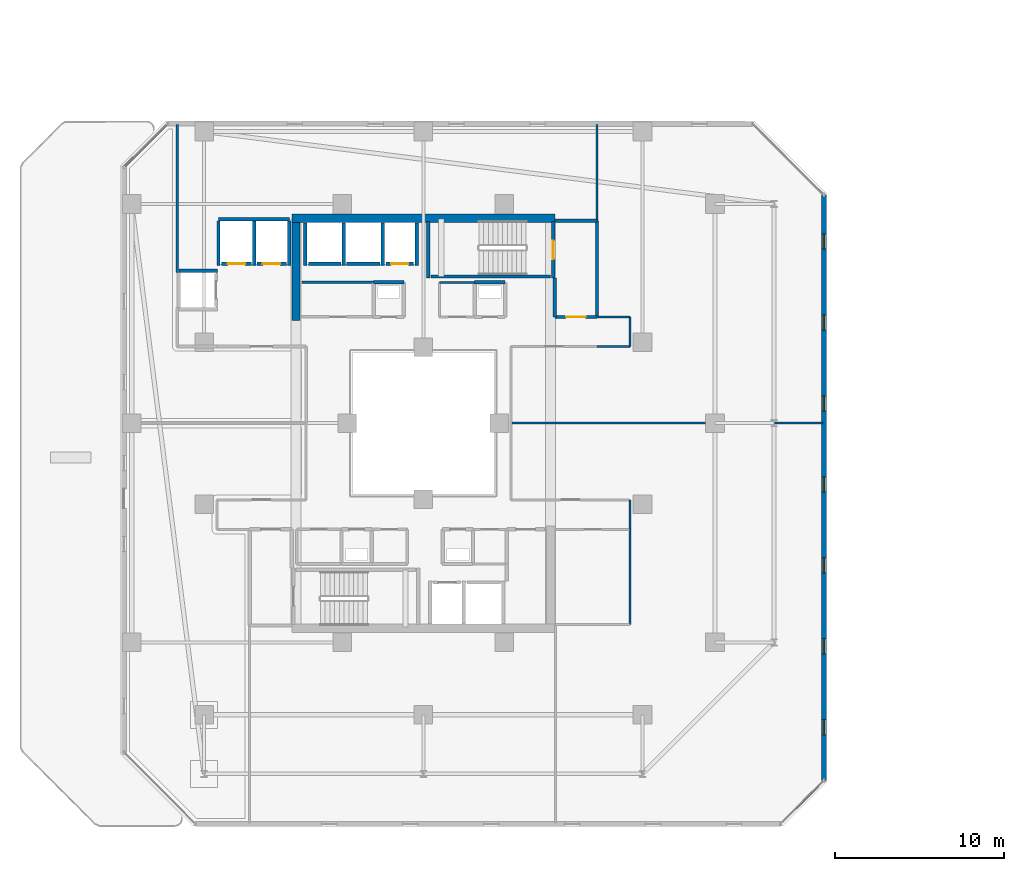
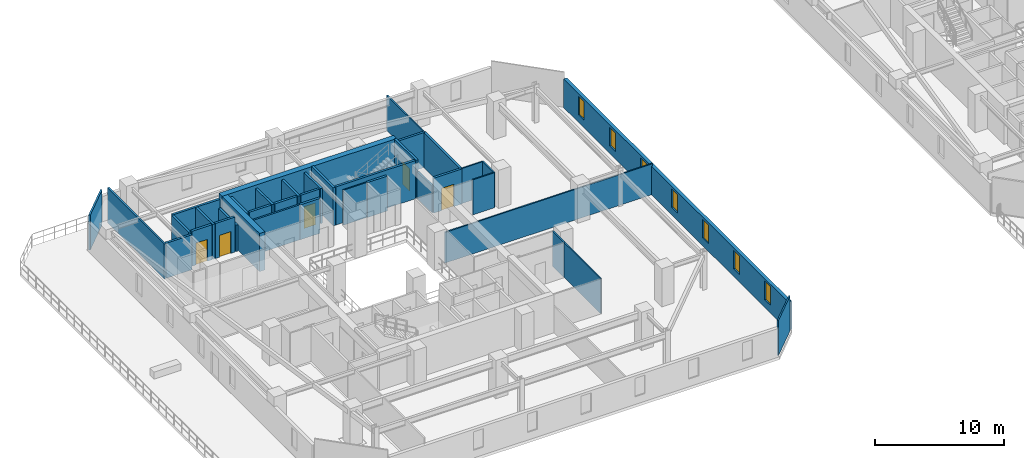
# One storey, part 20 of 30: 38 walls, 7 windows, 5 doors, 12 openings.
"""IFC4 building model written with IfcOpenShell, lengths in metres."""

from ifc_helpers import new_model, si_unit, direction, frame, frame_2d, origin, place, context, subcontext, project, spatial, rectangle, extrude, material, layer, layer_set, type_object, element, fill, save


model = new_model("IFC4")

# Units and contexts
model_context = context("Model", 3, precision=1e-05, world=origin(), true_north=direction((0.0, 1.0)))
body_context = subcontext(model_context, "Body", "Model", "MODEL_VIEW")
ifc_project = project(units=[si_unit("LENGTHUNIT", "METRE"), si_unit("AREAUNIT", "SQUARE_METRE"), si_unit("VOLUMEUNIT", "CUBIC_METRE"), si_unit("PLANEANGLEUNIT", "RADIAN"), si_unit("MASSUNIT", "GRAM", prefix="KILO")], contexts=[model_context])

# Site, building, storey
site_placement = place(None, origin())
site = spatial("IfcSite", under=ifc_project, at=site_placement, CompositionType="ELEMENT")
building_placement = place(site_placement, origin())
building = spatial("IfcBuilding", under=site, at=building_placement, Name="Thornwick Lancets Civic Towers", CompositionType="ELEMENT")
storey_placement = place(building_placement, frame((0.0, 0.0, 149.10009765625)))
storey = spatial("IfcBuildingStorey", under=building, at=storey_placement, Name="L39", CompositionType="ELEMENT", Elevation=149.10009765625)

# Wall, opening, door
ifc_material_1 = material(Name="Concrete blockwork C40/50", Category="masonry")
ifc_layer_1 = layer(ifc_material_1, 0.199951171875, Name="Concrete blockwork C40/50")
ifc_layer_set_1 = layer_set([ifc_layer_1], Name="Concrete blockwork C40/50")
wall_type_1 = type_object("IfcWallType", Name="WALL_COMP_200", PredefinedType="STANDARD", material=ifc_layer_set_1)
wall_1_placement = place(storey_placement, frame((24.919921875, 36.449951171875, 0.0), z_axis=(0.0, 0.0, 1.0), x_axis=(-1.0, 0.0, 0.0)))
wall_1 = element("IfcWall", 1, at=wall_1_placement, inside=storey, type_object=wall_type_1, Name="L39 Hoistway Front Wall FL-A2", PredefinedType="STANDARD", context=body_context, shape_type="SweptSolid", body=[
    extrude(rectangle(XDim=1.639892578125, YDim=0.199951171875, at=frame_2d((0.81982421875, 0.0))), origin(), (0.0, 0.0, 1.0), 3.2998046875),
])
opening_1_placement = place(wall_1_placement, frame((0.31005859375, 0.0, 0.0)))
opening_1 = element("IfcOpeningElement", 2, at=opening_1_placement, cuts=wall_1, Name="Opening LD-FL-A2", PredefinedType="OPENING", context=body_context, shape_type="SweptSolid", body=[
    extrude(rectangle(XDim=1.02001953125, YDim=2.06005859375, at=frame_2d((0.510009765625, 1.030029296875))), frame((0.0, 0.10986328125, 0.0), z_axis=(0.0, -1.0, 0.0), x_axis=(1.0, 0.0, 0.0)), (0.0, 0.0, 1.0), 0.219970703125),
])
ifc_material_2 = material(Name="Brushed bronze stainless steel", Category="steel")
door_type_1 = type_object("IfcDoorType", Name="DOOR_LIFT_SLIDE", OperationType="SLIDING_TO_LEFT", PredefinedType="DOOR", material=ifc_material_2)
door_1_placement = place(opening_1_placement, origin())
door_1 = element("IfcDoor", 3, at=door_1_placement, inside=storey, type_object=door_type_1, Name="L39 Sliding Lift Landing Door LD-FL-A2", OperationType="SLIDING_TO_LEFT", OverallHeight=2.06005859375, OverallWidth=1.02001953125, PredefinedType="DOOR", context=body_context, shape_type="SweptSolid", body=[
    extrude(rectangle(XDim=1.02001953125, YDim=2.06005859375, at=frame_2d((0.510009765625, 1.030029296875))), frame((0.0, 0.02490234375, 0.0), z_axis=(0.0, -1.0, 0.0), x_axis=(1.0, 0.0, 0.0)), (0.0, 0.0, 1.0), 0.050048828125),
])
fill(opening_1, door_1)

# Walls
wall_2_placement = place(storey_placement, frame((22.919921875, 36.449951171875, 0.0), z_axis=(0.0, 0.0, 1.0), x_axis=(-1.0, 0.0, 0.0)))
element("IfcWall", 4, at=wall_2_placement, inside=storey, type_object=wall_type_1, Name="L39 Hoistway Front Wall PL-AH2", PredefinedType="STANDARD", context=body_context, shape_type="SweptSolid", body=[
    extrude(rectangle(XDim=1.989990234375, YDim=0.199951171875, at=frame_2d((0.9951171875, 0.0))), origin(), (0.0, 0.0, 1.0), 3.2998046875),
])
wall_3_placement = place(storey_placement, frame((20.6201171875, 36.449951171875, 0.0), z_axis=(0.0, 0.0, 1.0), x_axis=(-1.0, 0.0, 0.0)))
element("IfcWall", 5, at=wall_3_placement, inside=storey, type_object=wall_type_1, Name="L39 Hoistway Front Wall PL-AH3", PredefinedType="STANDARD", context=body_context, shape_type="SweptSolid", body=[
    extrude(rectangle(XDim=1.940185546875, YDim=0.199951171875, at=frame_2d((0.97021484375, 0.0))), origin(), (0.0, 0.0, 1.0), 3.2998046875),
])

# Wall, opening, door
wall_4_placement = place(storey_placement, frame((17.3701171875, 36.449951171875, 0.0), z_axis=(0.0, 0.0, 1.0), x_axis=(-1.0, 0.0, 0.0)))
wall_4 = element("IfcWall", 6, at=wall_4_placement, inside=storey, type_object=wall_type_1, Name="L39 Hoistway Front Wall PL-AM1", PredefinedType="STANDARD", context=body_context, shape_type="SweptSolid", body=[
    extrude(rectangle(XDim=1.740234375, YDim=0.199951171875, at=frame_2d((0.8701171875, 0.0))), origin(), (0.0, 0.0, 1.0), 3.2998046875),
])
opening_2_placement = place(wall_4_placement, frame((0.360107421875, 0.0, 0.0)))
opening_2 = element("IfcOpeningElement", 7, at=opening_2_placement, cuts=wall_4, Name="Opening LD-PL-AM1", PredefinedType="OPENING", context=body_context, shape_type="SweptSolid", body=[
    extrude(rectangle(XDim=1.02001953125, YDim=2.06005859375, at=frame_2d((0.510009765625, 1.030029296875))), frame((0.0, 0.10986328125, 0.0), z_axis=(0.0, -1.0, 0.0), x_axis=(1.0, 0.0, 0.0)), (0.0, 0.0, 1.0), 0.219970703125),
])
door_2_placement = place(opening_2_placement, origin())
door_2 = element("IfcDoor", 8, at=door_2_placement, inside=storey, type_object=door_type_1, Name="L39 Sliding Lift Landing Door LD-PL-AM1", OperationType="SLIDING_TO_LEFT", OverallHeight=2.06005859375, OverallWidth=1.02001953125, PredefinedType="DOOR", context=body_context, shape_type="SweptSolid", body=[
    extrude(rectangle(XDim=1.02001953125, YDim=2.06005859375, at=frame_2d((0.510009765625, 1.030029296875))), frame((0.0, 0.02490234375, 0.0), z_axis=(0.0, -1.0, 0.0), x_axis=(1.0, 0.0, 0.0)), (0.0, 0.0, 1.0), 0.050048828125),
])
fill(opening_2, door_2)

wall_5_placement = place(storey_placement, frame((15.320068359375, 36.449951171875, 0.0), z_axis=(0.0, 0.0, 1.0), x_axis=(-1.0, 0.0, 0.0)))
wall_5 = element("IfcWall", 9, at=wall_5_placement, inside=storey, type_object=wall_type_1, Name="L39 Hoistway Front Wall PL-AM2", PredefinedType="STANDARD", context=body_context, shape_type="SweptSolid", body=[
    extrude(rectangle(XDim=1.7900390625, YDim=0.199951171875, at=frame_2d((0.89501953125, 0.0))), origin(), (0.0, 0.0, 1.0), 3.2998046875),
])
opening_3_placement = place(wall_5_placement, frame((0.385009765625, 0.0, 0.0)))
opening_3 = element("IfcOpeningElement", 10, at=opening_3_placement, cuts=wall_5, Name="Opening LD-PL-AM2", PredefinedType="OPENING", context=body_context, shape_type="SweptSolid", body=[
    extrude(rectangle(XDim=1.02001953125, YDim=2.06005859375, at=frame_2d((0.510009765625, 1.030029296875))), frame((0.0, 0.10986328125, 0.0), z_axis=(0.0, -1.0, 0.0), x_axis=(1.0, 0.0, 0.0)), (0.0, 0.0, 1.0), 0.219970703125),
])
door_3_placement = place(opening_3_placement, origin())
door_3 = element("IfcDoor", 11, at=door_3_placement, inside=storey, type_object=door_type_1, Name="L39 Sliding Lift Landing Door LD-PL-AM2", OperationType="SLIDING_TO_LEFT", OverallHeight=2.06005859375, OverallWidth=1.02001953125, PredefinedType="DOOR", context=body_context, shape_type="SweptSolid", body=[
    extrude(rectangle(XDim=1.02001953125, YDim=2.06005859375, at=frame_2d((0.510009765625, 1.030029296875))), frame((0.0, 0.02490234375, 0.0), z_axis=(0.0, -1.0, 0.0), x_axis=(1.0, 0.0, 0.0)), (0.0, 0.0, 1.0), 0.050048828125),
])
fill(opening_3, door_3)

# Walls
for number, where, z_axis, x_axis, name in (
    (12, (25.10009765625, 36.35205078125, 0.0), (0.0, 0.0, 1.0), (0.0, 1.0, 0.0), "L39 Hoistway Shaft Wall FL-A2 E"),
    (13, (23.10009765625, 36.35205078125, 0.0), (0.0, 0.0, 1.0), (0.0, 1.0, 0.0), "L39 Hoistway Shaft Wall FL-A2 W"),
    (14, (20.77490234375, 36.35205078125, 0.0), (0.0, 0.0, 1.0), (0.0, 1.0, 0.0), "L39 Hoistway Shaft Wall PL-AH2 W"),
    (15, (18.5, 36.35205078125, 0.0), (0.0, 0.0, 1.0), (0.0, 1.0, 0.0), "L39 Hoistway Shaft Wall PL-AH3 W"),
):
    element("IfcWall", number, at=place(storey_placement, frame(where, z_axis=z_axis, x_axis=x_axis)), inside=storey, type_object=wall_type_1, Name=name, PredefinedType="STANDARD", context=body_context, shape_type="SweptSolid", body=[
        extrude(rectangle(XDim=2.535888671875, YDim=0.199951171875, at=frame_2d((1.26806640625, 0.0))), origin(), (0.0, 0.0, 1.0), 3.2998046875),
    ])
wall_6_placement = place(storey_placement, frame((13.35205078125, 39.10009765625, 0.0), z_axis=(0.0, 0.0, 1.0), x_axis=(1.0, 0.0, 0.0)))
element("IfcWall", 16, at=wall_6_placement, inside=storey, type_object=wall_type_1, Name="L39 Hoistway Shaft Wall PL-AM1 N", PredefinedType="STANDARD", context=body_context, shape_type="SweptSolid", body=[
    extrude(rectangle(XDim=4.196044921875, YDim=0.199951171875, at=frame_2d((2.09814453125, 0.0))), origin(), (0.0, 0.0, 1.0), 3.2998046875),
])
wall_7_placement = place(storey_placement, frame((17.550048828125, 36.35205078125, 0.0), z_axis=(0.0, 0.0, 1.0), x_axis=(0.0, 1.0, 0.0)))
element("IfcWall", 17, at=wall_7_placement, inside=storey, type_object=wall_type_1, Name="L39 Hoistway Shaft Wall PL-AM1 E", PredefinedType="STANDARD", context=body_context, shape_type="SweptSolid", body=[
    extrude(rectangle(XDim=2.635986328125, YDim=0.199951171875, at=frame_2d((1.31787109375, 0.0))), origin(), (0.0, 0.0, 1.0), 2.5048828125),
])
for number, where, z_axis, x_axis, name in (
    (18, (15.47509765625, 36.35205078125, 0.0), (0.0, 0.0, 1.0), (0.0, 1.0, 0.0), "L39 Hoistway Shaft Wall PL-AM1 W"),
    (19, (13.35009765625, 36.35205078125, 0.0), (0.0, 0.0, 1.0), (0.0, 1.0, 0.0), "L39 Hoistway Shaft Wall PL-AM2 W"),
):
    element("IfcWall", number, at=place(storey_placement, frame(where, z_axis=z_axis, x_axis=x_axis)), inside=storey, type_object=wall_type_1, Name=name, PredefinedType="STANDARD", context=body_context, shape_type="SweptSolid", body=[
        extrude(rectangle(XDim=2.635986328125, YDim=0.199951171875, at=frame_2d((1.31787109375, 0.0))), origin(), (0.0, 0.0, 1.0), 3.2998046875),
    ])
wall_8_placement = place(storey_placement, frame((11.001953125, 36.050048828125, 0.0), z_axis=(0.0, 0.0, 1.0), x_axis=(1.0, 0.0, 0.0)))
element("IfcWall", 20, at=wall_8_placement, inside=storey, type_object=wall_type_1, Name="L39 Hoistway Shaft Wall PL-AM3 N", PredefinedType="STANDARD", context=body_context, shape_type="SweptSolid", body=[
    extrude(rectangle(XDim=2.296142578125, YDim=0.199951171875, at=frame_2d((1.14794921875, 0.0))), origin(), (0.0, 0.0, 1.0), 3.2998046875),
])

# Wall, opening, door
wall_9_placement = place(storey_placement, frame((33.300048828125, 33.300048828125, 0.0), z_axis=(0.0, 0.0, 1.0), x_axis=(1.0, 0.0, 0.0)))
wall_9 = element("IfcWall", 21, at=wall_9_placement, inside=storey, type_object=wall_type_1, Name="L39 Partition L39-A-FFLOB2 E1", PredefinedType="STANDARD", context=body_context, shape_type="SweptSolid", body=[
    extrude(rectangle(XDim=2.5, YDim=0.199951171875, at=frame_2d((1.25, 0.0))), origin(), (0.0, 0.0, 1.0), 3.2998046875),
])
opening_4_placement = place(wall_9_placement, frame((0.675048828125, 0.0, 0.0)))
opening_4 = element("IfcOpeningElement", 22, at=opening_4_placement, cuts=wall_9, Name="Opening D-L39-1756", PredefinedType="OPENING", context=body_context, shape_type="SweptSolid", body=[
    extrude(rectangle(XDim=1.14990234375, YDim=2.10009765625, at=frame_2d((0.574951171875, 1.050048828125))), frame((0.0, 0.10986328125, 0.0), z_axis=(0.0, -1.0, 0.0), x_axis=(1.0, 0.0, 0.0)), (0.0, 0.0, 1.0), 0.219970703125),
])
ifc_material_3 = material(Name="Glazed fire-resisting steel", Category="steel")
door_type_2 = type_object("IfcDoorType", Name="DOOR_LOBBY_FD60", OperationType="NOTDEFINED", PredefinedType="DOOR", material=ifc_material_3)
door_4_placement = place(opening_4_placement, origin())
door_4 = element("IfcDoor", 23, at=door_4_placement, inside=storey, type_object=door_type_2, Name="L39 North Firefighting Lobby 2 Door", OperationType="SINGLE_SWING_LEFT", OverallHeight=2.10009765625, OverallWidth=1.14990234375, PredefinedType="DOOR", context=body_context, shape_type="SweptSolid", body=[
    extrude(rectangle(XDim=1.14990234375, YDim=2.10009765625, at=frame_2d((0.574951171875, 1.050048828125))), frame((0.0, 0.02490234375, 0.0), z_axis=(0.0, -1.0, 0.0), x_axis=(1.0, 0.0, 0.0)), (0.0, 0.0, 1.0), 0.050048828125),
])
fill(opening_4, door_4)

# Walls
wall_10_placement = place(storey_placement, frame((35.800048828125, 33.300048828125, 0.0), z_axis=(0.0, 0.0, 1.0), x_axis=(0.0, 1.0, 0.0)))
element("IfcWall", 24, at=wall_10_placement, inside=storey, type_object=wall_type_1, Name="L39 Partition L39-A-FFLOB2 E2", PredefinedType="STANDARD", context=body_context, shape_type="SweptSolid", body=[
    extrude(rectangle(XDim=5.699951171875, YDim=0.199951171875, at=frame_2d((2.85009765625, 0.0))), origin(), (0.0, 0.0, 1.0), 3.2998046875),
])
wall_11_placement = place(storey_placement, frame((35.800048828125, 39.0, 0.0), z_axis=(0.0, 0.0, 1.0), x_axis=(-1.0, 0.0, 0.0)))
element("IfcWall", 25, at=wall_11_placement, inside=storey, type_object=wall_type_1, Name="L39 Partition L39-A-FFLOB2 E3", PredefinedType="STANDARD", context=body_context, shape_type="SweptSolid", body=[
    extrude(rectangle(XDim=2.5, YDim=0.199951171875, at=frame_2d((1.25, 0.0))), origin(), (0.0, 0.0, 1.0), 3.2998046875),
])
wall_12_placement = place(storey_placement, frame((33.300048828125, 35.60009765625, 0.0), z_axis=(0.0, 0.0, 1.0), x_axis=(0.0, -1.0, 0.0)))
element("IfcWall", 26, at=wall_12_placement, inside=storey, type_object=wall_type_1, Name="L39 Partition L39-A-FFLOB2 E4", PredefinedType="STANDARD", context=body_context, shape_type="SweptSolid", body=[
    extrude(rectangle(XDim=2.300048828125, YDim=0.199951171875, at=frame_2d((1.14990234375, 0.0))), origin(), (0.0, 0.0, 1.0), 2.5048828125),
])
for number, where, z_axis, x_axis, name in (
    (27, (24.35009765625, 35.35009765625, 0.0), (0.0, 0.0, 1.0), (-1.0, 0.0, 0.0), "L39 Partition L39-A-DUCT2 E3"),
    (28, (30.35009765625, 35.35009765625, 0.0), (0.0, 0.0, 1.0), (-1.0, 0.0, 0.0), "L39 Partition L39-A-RISER2 E3"),
):
    element("IfcWall", number, at=place(storey_placement, frame(where, z_axis=z_axis, x_axis=x_axis)), inside=storey, type_object=wall_type_1, Name=name, PredefinedType="STANDARD", context=body_context, shape_type="SweptSolid", body=[
        extrude(rectangle(XDim=1.800048828125, YDim=0.199951171875, at=frame_2d((0.89990234375, 0.0))), origin(), (0.0, 0.0, 1.0), 3.2998046875),
    ])
ifc_material_4 = material(Name="Concrete C50/60", Category="concrete")
ifc_layer_2 = layer(ifc_material_4, 0.5, Name="Concrete C50/60")
ifc_layer_set_2 = layer_set([ifc_layer_2], Name="Concrete C50/60")
wall_type_2 = type_object("IfcWallType", Name="WALL_CORE_500", PredefinedType="SHEAR", material=ifc_layer_set_2)
wall_13_placement = place(storey_placement, frame((17.699951171875, 39.14990234375, 0.0), z_axis=(0.0, 0.0, 1.0), x_axis=(1.0, 0.0, 0.0)))
element("IfcWall", 29, at=wall_13_placement, inside=storey, type_object=wall_type_2, Name="L39 Split Core A2 Shear Wall N", PredefinedType="SHEAR", context=body_context, shape_type="SweptSolid", body=[
    extrude(rectangle(XDim=15.60009765625, YDim=0.5, at=frame_2d((7.800048828125, 0.0))), origin(), (0.0, 0.0, 1.0), 3.599853515625),
])
wall_14_placement = place(storey_placement, frame((17.949951171875, 33.10009765625, 0.0), z_axis=(0.0, 0.0, 1.0), x_axis=(0.0, 1.0, 0.0)))
element("IfcWall", 30, at=wall_14_placement, inside=storey, type_object=wall_type_2, Name="L39 Split Core A2 Shear Wall W", PredefinedType="SHEAR", context=body_context, shape_type="SweptSolid", body=[
    extrude(rectangle(XDim=5.7998046875, YDim=0.5, at=frame_2d((2.89990234375, 0.0))), origin(), (0.0, 0.0, 1.0), 3.599853515625),
])

# Wall, openings, windows
ifc_material_5 = material(Name="Insulated russet terracotta rainscreen on concrete C40/50", Category="masonry")
ifc_layer_3 = layer(ifc_material_5, 0.300048828125, Name="Insulated russet terracotta rainscreen on concrete C40/50")
ifc_layer_set_3 = layer_set([ifc_layer_3], Name="Insulated russet terracotta rainscreen on concrete C40/50")
wall_type_3 = type_object("IfcWallType", Name="WALL_EXT_RUSSET_300", PredefinedType="STANDARD", material=ifc_layer_set_3)
wall_15_placement = place(storey_placement, frame((49.2646484375, 5.818603515625, 0.0), z_axis=(0.0, 0.0, 1.0), x_axis=(-0.000154754115, 0.999999988026, 0.0)))
wall_15 = element("IfcWall", 31, at=wall_15_placement, inside=storey, type_object=wall_type_3, Name="L39 Tower A Terracotta Facade Wall E2", PredefinedType="STANDARD", context=body_context, shape_type="SweptSolid", body=[
    extrude(rectangle(XDim=34.707275390625, YDim=0.300048828125, at=frame_2d((17.353515625, 0.0))), origin(), (0.0, 0.0, 1.0), 2.699951171875),
])
opening_5_placement = place(wall_15_placement, frame((2.699951171875, 0.0, 0.719970703125)))
opening_5 = element("IfcOpeningElement", 32, at=opening_5_placement, cuts=wall_15, Name="Opening WL-01", PredefinedType="OPENING", context=body_context, shape_type="SweptSolid", body=[
    extrude(rectangle(XDim=0.89990234375, YDim=1.75, at=frame_2d((0.449951171875, 0.875))), frame((0.0, 0.16015625, 0.0), z_axis=(0.0, -1.0, 0.0), x_axis=(1.0, 0.0, 0.0)), (0.0, 0.0, 1.0), 0.320068359375),
])
opening_6_placement = place(wall_15_placement, frame((7.5, 0.0, 0.719970703125)))
opening_6 = element("IfcOpeningElement", 33, at=opening_6_placement, cuts=wall_15, Name="Opening WL-01", PredefinedType="OPENING", context=body_context, shape_type="SweptSolid", body=[
    extrude(rectangle(XDim=0.89990234375, YDim=1.75, at=frame_2d((0.449951171875, 0.875))), frame((0.0, 0.16015625, 0.0), z_axis=(0.0, -1.0, 0.0), x_axis=(1.0, 0.0, 0.0)), (0.0, 0.0, 1.0), 0.320068359375),
])
opening_7_placement = place(wall_15_placement, frame((12.300048828125, 0.0, 0.719970703125)))
opening_7 = element("IfcOpeningElement", 34, at=opening_7_placement, cuts=wall_15, Name="Opening WL-01", PredefinedType="OPENING", context=body_context, shape_type="SweptSolid", body=[
    extrude(rectangle(XDim=0.89990234375, YDim=1.75, at=frame_2d((0.449951171875, 0.875))), frame((0.0, 0.16015625, 0.0), z_axis=(0.0, -1.0, 0.0), x_axis=(1.0, 0.0, 0.0)), (0.0, 0.0, 1.0), 0.320068359375),
])
opening_8_placement = place(wall_15_placement, frame((17.10009765625, 0.0, 0.719970703125)))
opening_8 = element("IfcOpeningElement", 35, at=opening_8_placement, cuts=wall_15, Name="Opening WL-01", PredefinedType="OPENING", context=body_context, shape_type="SweptSolid", body=[
    extrude(rectangle(XDim=0.89990234375, YDim=1.75, at=frame_2d((0.449951171875, 0.875))), frame((0.0, 0.16015625, 0.0), z_axis=(0.0, -1.0, 0.0), x_axis=(1.0, 0.0, 0.0)), (0.0, 0.0, 1.0), 0.320068359375),
])
opening_9_placement = place(wall_15_placement, frame((21.89990234375, 0.0, 0.719970703125)))
opening_9 = element("IfcOpeningElement", 36, at=opening_9_placement, cuts=wall_15, Name="Opening WL-01", PredefinedType="OPENING", context=body_context, shape_type="SweptSolid", body=[
    extrude(rectangle(XDim=0.89990234375, YDim=1.75, at=frame_2d((0.449951171875, 0.875))), frame((0.0, 0.16015625, 0.0), z_axis=(0.0, -1.0, 0.0), x_axis=(1.0, 0.0, 0.0)), (0.0, 0.0, 1.0), 0.320068359375),
])
opening_10_placement = place(wall_15_placement, frame((26.699951171875, 0.0, 0.719970703125)))
opening_10 = element("IfcOpeningElement", 37, at=opening_10_placement, cuts=wall_15, Name="Opening WL-01", PredefinedType="OPENING", context=body_context, shape_type="SweptSolid", body=[
    extrude(rectangle(XDim=0.89990234375, YDim=1.75, at=frame_2d((0.449951171875, 0.875))), frame((0.0, 0.16015625, 0.0), z_axis=(0.0, -1.0, 0.0), x_axis=(1.0, 0.0, 0.0)), (0.0, 0.0, 1.0), 0.320068359375),
])
opening_11_placement = place(wall_15_placement, frame((31.5, 0.0, 0.719970703125)))
opening_11 = element("IfcOpeningElement", 38, at=opening_11_placement, cuts=wall_15, Name="Opening WL-01", PredefinedType="OPENING", context=body_context, shape_type="SweptSolid", body=[
    extrude(rectangle(XDim=0.89990234375, YDim=1.75, at=frame_2d((0.449951171875, 0.875))), frame((0.0, 0.16015625, 0.0), z_axis=(0.0, -1.0, 0.0), x_axis=(1.0, 0.0, 0.0)), (0.0, 0.0, 1.0), 0.320068359375),
])
ifc_material_6 = material(Name="Clear low-e double glazing in bronze frame", Category="glass")
window_type = type_object("IfcWindowType", Name="WIN_LANCET_900", PartitioningType="SINGLE_PANEL", PredefinedType="WINDOW", material=ifc_material_6)
window_1_placement = place(opening_5_placement, origin())
window_1 = element("IfcWindow", 39, at=window_1_placement, inside=storey, type_object=window_type, Name="L39 Tower A Staggered Lancet Window E2-1", OverallHeight=1.75, OverallWidth=0.89990234375, PartitioningType="SINGLE_PANEL", PredefinedType="WINDOW", context=body_context, shape_type="SweptSolid", body=[
    extrude(rectangle(XDim=0.89990234375, YDim=1.75, at=frame_2d((0.449951171875, 0.875))), frame((0.0, 0.030029296875, 0.0), z_axis=(0.0, -1.0, 0.0), x_axis=(1.0, 0.0, 0.0)), (0.0, 0.0, 1.0), 0.06005859375),
])
fill(opening_5, window_1)
window_2_placement = place(opening_6_placement, origin())
window_2 = element("IfcWindow", 40, at=window_2_placement, inside=storey, type_object=window_type, Name="L39 Tower A Staggered Lancet Window E2-2", OverallHeight=1.75, OverallWidth=0.89990234375, PartitioningType="SINGLE_PANEL", PredefinedType="WINDOW", context=body_context, shape_type="SweptSolid", body=[
    extrude(rectangle(XDim=0.89990234375, YDim=1.75, at=frame_2d((0.449951171875, 0.875))), frame((0.0, 0.030029296875, 0.0), z_axis=(0.0, -1.0, 0.0), x_axis=(1.0, 0.0, 0.0)), (0.0, 0.0, 1.0), 0.06005859375),
])
fill(opening_6, window_2)
window_3_placement = place(opening_7_placement, origin())
window_3 = element("IfcWindow", 41, at=window_3_placement, inside=storey, type_object=window_type, Name="L39 Tower A Staggered Lancet Window E2-3", OverallHeight=1.75, OverallWidth=0.89990234375, PartitioningType="SINGLE_PANEL", PredefinedType="WINDOW", context=body_context, shape_type="SweptSolid", body=[
    extrude(rectangle(XDim=0.89990234375, YDim=1.75, at=frame_2d((0.449951171875, 0.875))), frame((0.0, 0.030029296875, 0.0), z_axis=(0.0, -1.0, 0.0), x_axis=(1.0, 0.0, 0.0)), (0.0, 0.0, 1.0), 0.06005859375),
])
fill(opening_7, window_3)
window_4_placement = place(opening_8_placement, origin())
window_4 = element("IfcWindow", 42, at=window_4_placement, inside=storey, type_object=window_type, Name="L39 Tower A Staggered Lancet Window E2-4", OverallHeight=1.75, OverallWidth=0.89990234375, PartitioningType="SINGLE_PANEL", PredefinedType="WINDOW", context=body_context, shape_type="SweptSolid", body=[
    extrude(rectangle(XDim=0.89990234375, YDim=1.75, at=frame_2d((0.449951171875, 0.875))), frame((0.0, 0.030029296875, 0.0), z_axis=(0.0, -1.0, 0.0), x_axis=(1.0, 0.0, 0.0)), (0.0, 0.0, 1.0), 0.06005859375),
])
fill(opening_8, window_4)
window_5_placement = place(opening_9_placement, origin())
window_5 = element("IfcWindow", 43, at=window_5_placement, inside=storey, type_object=window_type, Name="L39 Tower A Staggered Lancet Window E2-5", OverallHeight=1.75, OverallWidth=0.89990234375, PartitioningType="SINGLE_PANEL", PredefinedType="WINDOW", context=body_context, shape_type="SweptSolid", body=[
    extrude(rectangle(XDim=0.89990234375, YDim=1.75, at=frame_2d((0.449951171875, 0.875))), frame((0.0, 0.030029296875, 0.0), z_axis=(0.0, -1.0, 0.0), x_axis=(1.0, 0.0, 0.0)), (0.0, 0.0, 1.0), 0.06005859375),
])
fill(opening_9, window_5)
window_6_placement = place(opening_10_placement, origin())
window_6 = element("IfcWindow", 44, at=window_6_placement, inside=storey, type_object=window_type, Name="L39 Tower A Staggered Lancet Window E2-6", OverallHeight=1.75, OverallWidth=0.89990234375, PartitioningType="SINGLE_PANEL", PredefinedType="WINDOW", context=body_context, shape_type="SweptSolid", body=[
    extrude(rectangle(XDim=0.89990234375, YDim=1.75, at=frame_2d((0.449951171875, 0.875))), frame((0.0, 0.030029296875, 0.0), z_axis=(0.0, -1.0, 0.0), x_axis=(1.0, 0.0, 0.0)), (0.0, 0.0, 1.0), 0.06005859375),
])
fill(opening_10, window_6)
window_7_placement = place(opening_11_placement, origin())
window_7 = element("IfcWindow", 45, at=window_7_placement, inside=storey, type_object=window_type, Name="L39 Tower A Staggered Lancet Window E2-7", OverallHeight=1.75, OverallWidth=0.89990234375, PartitioningType="SINGLE_PANEL", PredefinedType="WINDOW", context=body_context, shape_type="SweptSolid", body=[
    extrude(rectangle(XDim=0.89990234375, YDim=1.75, at=frame_2d((0.449951171875, 0.875))), frame((0.0, 0.030029296875, 0.0), z_axis=(0.0, -1.0, 0.0), x_axis=(1.0, 0.0, 0.0)), (0.0, 0.0, 1.0), 0.06005859375),
])
fill(opening_11, window_7)

# Walls
ifc_material_7 = material(Name="Acoustic gypsum board partition")
ifc_layer_4 = layer(ifc_material_7, 0.1201171875, Name="Acoustic gypsum board partition")
ifc_layer_set_4 = layer_set([ifc_layer_4], Name="Acoustic gypsum board partition")
wall_type_4 = type_object("IfcWallType", Name="WALL_PART_120", PredefinedType="PARTITIONING", material=ifc_layer_set_4)
wall_16_placement = place(storey_placement, frame((26.449951171875, 35.35009765625, 0.0), z_axis=(0.0, 0.0, 1.0), x_axis=(1.0, 0.0, 0.0)))
element("IfcWall", 46, at=wall_16_placement, inside=storey, type_object=wall_type_4, Name="L39 Partition L39-A-ITR E2", PredefinedType="PARTITIONING", context=body_context, shape_type="SweptSolid", body=[
    extrude(rectangle(XDim=2.10009765625, YDim=0.1201171875, at=frame_2d((1.050048828125, 0.0))), origin(), (0.0, 0.0, 1.0), 3.2998046875),
])
wall_17_placement = place(storey_placement, frame((37.75, 20.699951171875, 0.0), z_axis=(0.0, 0.0, 1.0), x_axis=(0.0, -1.0, 0.0)))
element("IfcWall", 47, at=wall_17_placement, inside=storey, type_object=wall_type_4, Name="L39 Partition L39-A-RECLAIM-L1 E4", PredefinedType="PARTITIONING", context=body_context, shape_type="SweptSolid", body=[
    extrude(rectangle(XDim=5.64990234375, YDim=0.1201171875, at=frame_2d((2.824951171875, 0.0))), origin(), (0.0, 0.0, 1.0), 3.2998046875),
])
wall_18_placement = place(storey_placement, frame((37.75, 20.699951171875, 0.0), z_axis=(0.0, 0.0, 1.0), x_axis=(0.0, 1.0, 0.0)))
element("IfcWall", 48, at=wall_18_placement, inside=storey, type_object=wall_type_4, Name="L39 Partition L39-A-E1 E5", PredefinedType="PARTITIONING", context=body_context, shape_type="SweptSolid", body=[
    extrude(rectangle(XDim=1.75, YDim=0.1201171875, at=frame_2d((0.875, 0.0))), origin(), (0.0, 0.0, 1.0), 3.2998046875),
])
wall_19_placement = place(storey_placement, frame((30.699951171875, 27.0, 0.0), z_axis=(0.0, 0.0, 1.0), x_axis=(1.0, 0.0, 0.0)))
element("IfcWall", 49, at=wall_19_placement, inside=storey, type_object=wall_type_4, Name="L39 Partition L39-A-E1 E8", PredefinedType="PARTITIONING", context=body_context, shape_type="SweptSolid", body=[
    extrude(rectangle(XDim=18.52001953125, YDim=0.1201171875, at=frame_2d((9.260009765625, 0.0))), origin(), (0.0, 0.0, 1.0), 2.89208984375),
])
wall_20_placement = place(storey_placement, frame((49.219970703125, 5.774658203125, 0.0), z_axis=(0.0, 0.0, 1.0), x_axis=(-0.707106781187, -0.707106781187, 0.0)))
element("IfcWall", 50, at=wall_20_placement, inside=storey, type_object=wall_type_4, Name="L39 Partition L39-A-E1 E10", PredefinedType="PARTITIONING", context=body_context, shape_type="SweptSolid", body=[
    extrude(rectangle(XDim=3.52783203125, YDim=0.1201171875, at=frame_2d((1.763916015625, 0.0))), origin(), (0.0, 0.0, 1.0), 3.2998046875),
])
wall_21_placement = place(storey_placement, frame((35.800048828125, 31.550048828125, 0.0), z_axis=(0.0, 0.0, 1.0), x_axis=(1.0, 0.0, 0.0)))
element("IfcWall", 51, at=wall_21_placement, inside=storey, type_object=wall_type_4, Name="L39 Partition L39-A-E3 E2", PredefinedType="PARTITIONING", context=body_context, shape_type="SweptSolid", body=[
    extrude(rectangle(XDim=1.949951171875, YDim=0.1201171875, at=frame_2d((0.97509765625, 0.0))), origin(), (0.0, 0.0, 1.0), 3.2998046875),
])
wall_22_placement = place(storey_placement, frame((37.75, 31.550048828125, 0.0), z_axis=(0.0, 0.0, 1.0), x_axis=(0.0, 1.0, 0.0)))
element("IfcWall", 52, at=wall_22_placement, inside=storey, type_object=wall_type_4, Name="L39 Partition L39-A-E3 E3", PredefinedType="PARTITIONING", context=body_context, shape_type="SweptSolid", body=[
    extrude(rectangle(XDim=1.75, YDim=0.1201171875, at=frame_2d((0.875, 0.0))), origin(), (0.0, 0.0, 1.0), 3.2998046875),
])
wall_23_placement = place(storey_placement, frame((37.75, 33.300048828125, 0.0), z_axis=(0.0, 0.0, 1.0), x_axis=(-1.0, 0.0, 0.0)))
element("IfcWall", 53, at=wall_23_placement, inside=storey, type_object=wall_type_4, Name="L39 Partition L39-A-E3 E4", PredefinedType="PARTITIONING", context=body_context, shape_type="SweptSolid", body=[
    extrude(rectangle(XDim=1.949951171875, YDim=0.1201171875, at=frame_2d((0.97509765625, 0.0))), origin(), (0.0, 0.0, 1.0), 3.2998046875),
])
wall_24_placement = place(storey_placement, frame((35.800048828125, 39.0, 0.0), z_axis=(0.0, 0.0, 1.0), x_axis=(0.0, 1.0, 0.0)))
element("IfcWall", 54, at=wall_24_placement, inside=storey, type_object=wall_type_4, Name="L39 Partition L39-A-E3 E6", PredefinedType="PARTITIONING", context=body_context, shape_type="SweptSolid", body=[
    extrude(rectangle(XDim=5.719970703125, YDim=0.1201171875, at=frame_2d((2.85986328125, 0.0))), origin(), (0.0, 0.0, 1.0), 3.2998046875),
])
ifc_material_8 = material(Name="Twin-stud acoustic gypsum board")
ifc_layer_5 = layer(ifc_material_8, 0.14990234375, Name="Twin-stud acoustic gypsum board")
ifc_layer_set_5 = layer_set([ifc_layer_5], Name="Twin-stud acoustic gypsum board")
wall_type_5 = type_object("IfcWallType", Name="WALL_PART_150", PredefinedType="PARTITIONING", material=ifc_layer_set_5)
wall_25_placement = place(storey_placement, frame((18.300048828125, 35.35009765625, 0.0), z_axis=(0.0, 0.0, 1.0), x_axis=(1.0, 0.0, 0.0)))
element("IfcWall", 55, at=wall_25_placement, inside=storey, type_object=wall_type_5, Name="L39 Partition L39-A-FWC E2", PredefinedType="PARTITIONING", context=body_context, shape_type="SweptSolid", body=[
    extrude(rectangle(XDim=4.25, YDim=0.14990234375, at=frame_2d((2.125, 0.0))), origin(), (0.0, 0.0, 1.0), 3.2998046875),
])
wall_26_placement = place(storey_placement, frame((7.780029296875, 42.225341796875, 0.0), z_axis=(0.0, 0.0, 1.0), x_axis=(0.707106781187, 0.707106781187, 0.0)))
element("IfcWall", 56, at=wall_26_placement, inside=storey, type_object=wall_type_5, Name="L39 Partition L39-A-W2 E5", PredefinedType="PARTITIONING", context=body_context, shape_type="SweptSolid", body=[
    extrude(rectangle(XDim=3.52783203125, YDim=0.14990234375, at=frame_2d((1.763916015625, 0.0))), origin(), (0.0, 0.0, 1.0), 3.2998046875),
])
wall_27_placement = place(storey_placement, frame((10.89990234375, 44.719970703125, 0.0), z_axis=(0.0, 0.0, 1.0), x_axis=(0.0, -1.0, 0.0)))
element("IfcWall", 57, at=wall_27_placement, inside=storey, type_object=wall_type_5, Name="L39 Partition L39-A-W2 E7", PredefinedType="PARTITIONING", context=body_context, shape_type="SweptSolid", body=[
    extrude(rectangle(XDim=8.781982421875, YDim=0.14990234375, at=frame_2d((4.39111328125, 0.0))), origin(), (0.0, 0.0, 1.0), 3.2998046875),
])

# Wall, opening, door
ifc_material_9 = material(Name="Concrete C40/50", Category="concrete")
ifc_layer_6 = layer(ifc_material_9, 0.199951171875, Name="Concrete C40/50")
ifc_layer_set_6 = layer_set([ifc_layer_6], Name="Concrete C40/50")
wall_type_6 = type_object("IfcWallType", Name="WALL_SHAFT_200", PredefinedType="SHEAR", material=ifc_layer_set_6)
wall_28_placement = place(storey_placement, frame((33.199951171875, 38.949951171875, 0.0), z_axis=(0.0, 0.0, 1.0), x_axis=(0.0, -1.0, 0.0)))
wall_28 = element("IfcWall", 58, at=wall_28_placement, inside=storey, type_object=wall_type_6, Name="L39 ST-A2 Fire Stair Core Wall NEAR", PredefinedType="SHEAR", context=body_context, shape_type="SweptSolid", body=[
    extrude(rectangle(XDim=3.349853515625, YDim=0.199951171875, at=frame_2d((1.6748046875, 0.0))), origin(), (0.0, 0.0, 1.0), 3.599853515625),
])
opening_12_placement = place(wall_28_placement, frame((1.125, 0.0, 0.0)))
opening_12 = element("IfcOpeningElement", 59, at=opening_12_placement, cuts=wall_28, Name="Opening D-ST-A2-L39", PredefinedType="OPENING", context=body_context, shape_type="SweptSolid", body=[
    extrude(rectangle(XDim=1.10009765625, YDim=2.10009765625, at=frame_2d((0.550048828125, 1.050048828125))), frame((0.0, 0.10986328125, 0.0), z_axis=(0.0, -1.0, 0.0), x_axis=(1.0, 0.0, 0.0)), (0.0, 0.0, 1.0), 0.219970703125),
])
ifc_material_10 = material(Name="Fire-resisting steel and hardwood", Category="steel")
door_type_3 = type_object("IfcDoorType", Name="DOOR_STAIR_FD60", OperationType="NOTDEFINED", PredefinedType="DOOR", material=ifc_material_10)
door_5_placement = place(opening_12_placement, origin())
door_5 = element("IfcDoor", 60, at=door_5_placement, inside=storey, type_object=door_type_3, Name="L39 ST-A2 Exit Stair Door", OperationType="SINGLE_SWING_LEFT", OverallHeight=2.10009765625, OverallWidth=1.10009765625, PredefinedType="DOOR", context=body_context, shape_type="SweptSolid", body=[
    extrude(rectangle(XDim=1.10009765625, YDim=2.10009765625, at=frame_2d((0.550048828125, 1.050048828125))), frame((0.0, 0.02490234375, 0.0), z_axis=(0.0, -1.0, 0.0), x_axis=(1.0, 0.0, 0.0)), (0.0, 0.0, 1.0), 0.050048828125),
])
fill(opening_12, door_5)

# Walls
wall_29_placement = place(storey_placement, frame((25.800048828125, 35.60009765625, 0.0), z_axis=(0.0, 0.0, 1.0), x_axis=(0.0, 1.0, 0.0)))
element("IfcWall", 61, at=wall_29_placement, inside=storey, type_object=wall_type_6, Name="L39 ST-A2 Fire Stair Core Wall FAR", PredefinedType="SHEAR", context=body_context, shape_type="SweptSolid", body=[
    extrude(rectangle(XDim=3.349853515625, YDim=0.199951171875, at=frame_2d((1.6748046875, 0.0))), origin(), (0.0, 0.0, 1.0), 3.599853515625),
])
wall_30_placement = place(storey_placement, frame((25.949951171875, 35.702880859375, 0.0), z_axis=(0.0, 0.0, 1.0), x_axis=(1.0, 0.0, 0.0)))
element("IfcWall", 62, at=wall_30_placement, inside=storey, type_object=wall_type_6, Name="L39 ST-A2 Fire Stair Core Wall RIGHT", PredefinedType="SHEAR", context=body_context, shape_type="SweptSolid", body=[
    extrude(rectangle(XDim=7.10009765625, YDim=0.199951171875, at=frame_2d((3.550048828125, 0.0))), origin(), (0.0, 0.0, 1.0), 3.599853515625),
])

save(model, "model.ifc")
